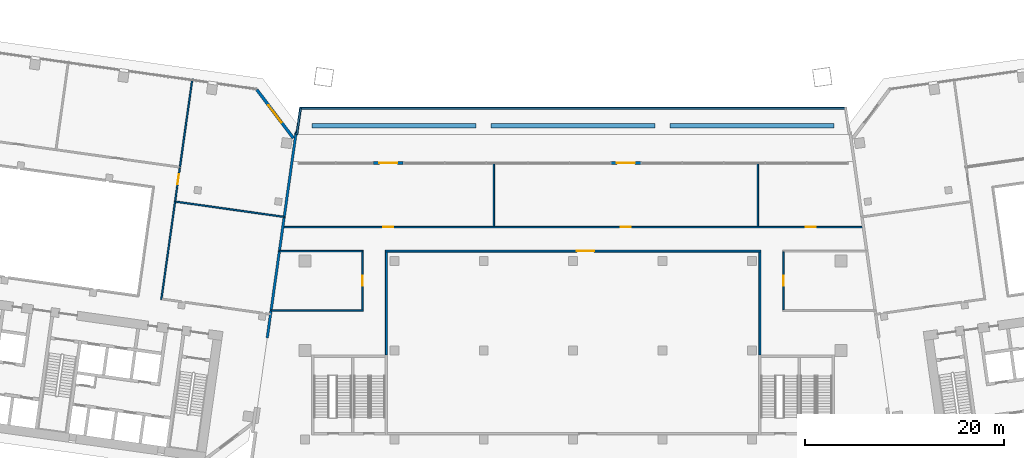
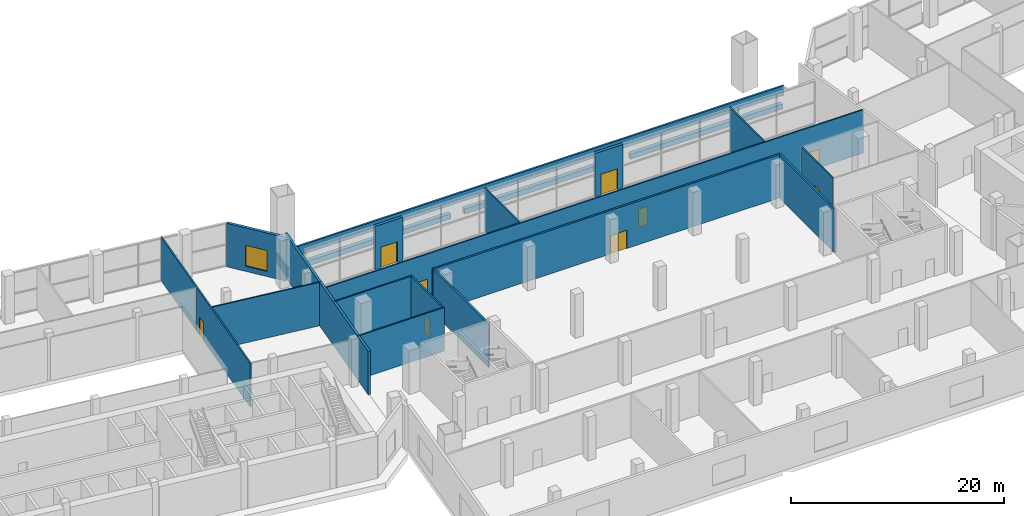
# One storey, part 14 of 23: 22 walls, 9 doors, 1 window, 10 openings.
"""IFC4 building model written with IfcOpenShell, lengths in metres."""

import ifcopenshell
import ifcopenshell.guid

model = None  # the IFC model being written
_history = None  # IfcOwnerHistory: only IFC2X3 demands one
_inside = {}  # id of a spatial element -> (the spatial element, [elements in it])
_under = {}  # id of a project, library or spatial element -> (it, [spatial elements below it])
_declared = {}  # id of a project -> (the project, [libraries it declares])
_typed = {}  # id of a type object -> (the type object, [elements of that type])
_made_of = {}  # id of a material, layer set ... -> (it, [elements and type objects made of it])


def new_model(schema):
    """Start an empty IFC model of exactly this schema.

    Asked for "IFC4X3", IfcOpenShell would pick the latest addendum, in which some entities
    have other attributes; the version numbers below select the first issue.
    IFC2X3 requires an IfcOwnerHistory on every rooted entity: one is made here for all.
    """
    global model, _history
    if schema == "IFC4X3":
        model = ifcopenshell.file(schema_version=(4, 3, 0, 0))
    else:
        model = ifcopenshell.file(schema=schema)
    _inside.clear()
    _under.clear()
    _declared.clear()
    _typed.clear()
    _made_of.clear()
    _history = None
    if model.schema == "IFC2X3":
        org = make("IfcOrganization", Name="unknown")
        user = make(
            "IfcPersonAndOrganization",
            ThePerson=make("IfcPerson", FamilyName="unknown"),
            TheOrganization=org,
        )
        app = make(
            "IfcApplication",
            ApplicationDeveloper=org,
            Version="unknown",
            ApplicationFullName="unknown",
            ApplicationIdentifier="unknown",
        )
        _history = make(
            "IfcOwnerHistory",
            OwningUser=user,
            OwningApplication=app,
            ChangeAction="ADDED",
            CreationDate=0,
        )
    return model


def make(cls, **values):
    """One entity of the class cls with the attributes given. An attribute that is None is left unset."""
    return model.create_entity(
        cls, **{name: value for name, value in values.items() if value is not None}
    )


def rooted(cls, **values):
    """An entity with a GlobalId (a new one), such as an element, a storey or a relation."""
    return make(cls, GlobalId=ifcopenshell.guid.new(), OwnerHistory=_history, **values)


def si_unit(unit_type, name, prefix=None):
    """IfcSIUnit, for example si_unit("LENGTHUNIT", "METRE", prefix="MILLI")."""
    return make("IfcSIUnit", UnitType=unit_type, Prefix=prefix, Name=name)


def assignment(units):
    """IfcUnitAssignment: the units of a project."""
    return None if units is None else make("IfcUnitAssignment", Units=units)


def point(xyz):
    """IfcCartesianPoint."""
    return None if xyz is None else make("IfcCartesianPoint", Coordinates=xyz)


def direction(xyz):
    """IfcDirection."""
    return None if xyz is None else make("IfcDirection", DirectionRatios=xyz)


def frame(location, z_axis=None, x_axis=None):
    """IfcAxis2Placement3D, a coordinate frame: its origin and axes. An axis left out is left unset."""
    return make(
        "IfcAxis2Placement3D",
        Location=point(location),
        Axis=direction(z_axis),
        RefDirection=direction(x_axis),
    )


def frame_2d(location, x_axis=None):
    """IfcAxis2Placement2D, a coordinate frame in the plane: its origin and x axis."""
    return make(
        "IfcAxis2Placement2D", Location=point(location), RefDirection=direction(x_axis)
    )


def origin():
    """The frame at (0, 0, 0) with its axes left unset."""
    return frame((0.0, 0.0, 0.0))


def place(relative_to, where):
    """IfcLocalPlacement: puts the frame where relative to a parent placement (None: the world)."""
    return make(
        "IfcLocalPlacement", PlacementRelTo=relative_to, RelativePlacement=where
    )


def context(
    kind, dimensions, precision=None, world=None, true_north=None, identifier=None
):
    """IfcGeometricRepresentationContext, for example the 3D "Model" context."""
    return make(
        "IfcGeometricRepresentationContext",
        ContextIdentifier=identifier,
        ContextType=kind,
        CoordinateSpaceDimension=dimensions,
        Precision=precision,
        WorldCoordinateSystem=world,
        TrueNorth=true_north,
    )


def subcontext(parent, identifier, kind, view, scale=None):
    """IfcGeometricRepresentationSubContext, for example "Body" below "Model"."""
    return make(
        "IfcGeometricRepresentationSubContext",
        ContextIdentifier=identifier,
        ContextType=kind,
        ParentContext=parent,
        TargetScale=scale,
        TargetView=view,
    )


def project(units=None, contexts=None):
    """IfcProject with its units and contexts."""
    return rooted(
        "IfcProject",
        Name="project",
        RepresentationContexts=contexts,
        UnitsInContext=assignment(units),
    )


def spatial(cls, under=None, at=None, **own):
    """A site, building, storey or space (cls), placed at a placement, below another one or the project."""
    s = rooted(cls, ObjectPlacement=at, **own)
    if under is not None:
        _under.setdefault(under.id(), (under, []))[1].append(s)
    return s


def profile(cls, at=None, kind="AREA", **sizes):
    """A parametric profile (cls). Its sizes go by their IFC names, for example OverallWidth=200.0."""
    return make(cls, ProfileType=kind, Position=at, **sizes)


def rectangle(**sizes):
    """IfcRectangleProfileDef."""
    return profile("IfcRectangleProfileDef", **sizes)


def extrude(swept, where, along, depth):
    """IfcExtrudedAreaSolid: the profile swept, set in the frame where, extruded along a direction by depth."""
    return make(
        "IfcExtrudedAreaSolid",
        SweptArea=swept,
        Position=where,
        ExtrudedDirection=direction(along),
        Depth=depth,
    )


def shape(context_of_items, identifier, shape_type, items):
    """IfcShapeRepresentation: the items that make up one representation, for example the "Body"."""
    return make(
        "IfcShapeRepresentation",
        ContextOfItems=context_of_items,
        RepresentationIdentifier=identifier,
        RepresentationType=shape_type,
        Items=items,
    )


def material(Name=None, Category=None):
    """IfcMaterial."""
    return make("IfcMaterial", Name=Name, Category=Category)


def layer(
    of_material, thickness, ventilated=None, Name=None, Category=None, Priority=None
):
    """IfcMaterialLayer: one layer of a wall or slab, of a material (None: an air gap)."""
    return make(
        "IfcMaterialLayer",
        Material=of_material,
        LayerThickness=thickness,
        IsVentilated=ventilated,
        Name=Name,
        Category=Category,
        Priority=Priority,
    )


def layer_set(layers, Name=None):
    """IfcMaterialLayerSet."""
    return make("IfcMaterialLayerSet", MaterialLayers=layers, LayerSetName=Name)


def made_of(thing, what):
    """Note that an element or type object is made of a material, layer set ...; save() writes the relation."""
    if what is not None:
        _made_of.setdefault(what.id(), (what, []))[1].append(thing)
    return thing


def type_object(cls, material=None, **own):
    """A type object (cls), such as IfcWallType, which elements share."""
    return made_of(rooted(cls, **own), material)


def element(
    cls,
    number,
    at=None,
    inside=None,
    cuts=None,
    type_object=None,
    material=None,
    context=None,
    identifier="Body",
    shape_type=None,
    held_by="IfcProductDefinitionShape",
    body=None,
    shapes=None,
    **own,
):
    """One element of the class cls, such as IfcWall. Its Tag is "e" and its number.

    at: its placement. inside: the storey or other place that contains it. cuts: it is an
    opening in that element (IfcRelVoidsElement). A single representation is given by context,
    identifier, shape_type and body (its items); several are given by shapes. held_by: the class
    of the entity that holds the representations. save() writes the other relations.
    """
    e = rooted(cls, Tag="e%d" % number, ObjectPlacement=at, **own)
    if body is not None:
        shapes = [shape(context, identifier, shape_type, body)]
    if shapes is not None:
        e.Representation = make(held_by, Representations=shapes)
    if inside is not None:
        _inside.setdefault(inside.id(), (inside, []))[1].append(e)
    if cuts is not None:
        rooted(
            "IfcRelVoidsElement", RelatingBuildingElement=cuts, RelatedOpeningElement=e
        )
    if type_object is not None:
        _typed.setdefault(type_object.id(), (type_object, []))[1].append(e)
    return made_of(e, material)


def fill(opening, filler):
    """IfcRelFillsElement: the door or window that sits in an opening."""
    return rooted(
        "IfcRelFillsElement",
        RelatingOpeningElement=opening,
        RelatedBuildingElement=filler,
    )


def aggregate(whole, parts):
    """IfcRelAggregates: a whole, such as a stair, and the parts it consists of."""
    return rooted("IfcRelAggregates", RelatingObject=whole, RelatedObjects=parts)


def save(model, path):
    """Write the relations noted so far, then the file.

    IfcRelAggregates (storeys below a building ...), IfcRelContainedInSpatialStructure (elements
    in a storey), IfcRelDefinesByType, IfcRelAssociatesMaterial and IfcRelDeclares: one each for
    every whole, place, type object, material and project.
    """
    for whole, parts in _under.values():
        aggregate(whole, parts)
    for where, things in _inside.values():
        rooted(
            "IfcRelContainedInSpatialStructure",
            RelatedElements=things,
            RelatingStructure=where,
        )
    for kind, things in _typed.values():
        rooted("IfcRelDefinesByType", RelatedObjects=things, RelatingType=kind)
    for what, things in _made_of.values():
        rooted("IfcRelAssociatesMaterial", RelatedObjects=things, RelatingMaterial=what)
    for by, libraries in _declared.values():
        rooted("IfcRelDeclares", RelatingContext=by, RelatedDefinitions=libraries)
    model.write(path)


model = new_model("IFC4")

# Units and contexts
model_context = context("Model", 3, precision=1e-05, world=origin(), true_north=direction((0.0, 1.0)))
body_context = subcontext(model_context, "Body", "Model", "MODEL_VIEW")
ifc_project = project(units=[si_unit("LENGTHUNIT", "METRE"), si_unit("AREAUNIT", "SQUARE_METRE"), si_unit("VOLUMEUNIT", "CUBIC_METRE"), si_unit("PLANEANGLEUNIT", "RADIAN"), si_unit("MASSUNIT", "GRAM", prefix="KILO")], contexts=[model_context])

# Site, building, storey
site_placement = place(None, origin())
site = spatial("IfcSite", under=ifc_project, at=site_placement, CompositionType="ELEMENT")
building_placement = place(site_placement, origin())
building = spatial("IfcBuilding", under=site, at=building_placement, Name="Mirante Cascada Hotel Towers", CompositionType="ELEMENT")
storey_placement = place(building_placement, frame((0.0, 0.0, 29.0)))
storey = spatial("IfcBuildingStorey", under=building, at=storey_placement, Name="L04", CompositionType="ELEMENT", Elevation=29.0)

# Walls
ifc_material_1 = material(Name="Masonry block", Category="masonry")
ifc_layer_1 = layer(ifc_material_1, 0.15)
ifc_layer_set_1 = layer_set([ifc_layer_1], Name="Corridor wall 150 block")
wall_type_1 = type_object("IfcWallType", Name="Corridor wall 150 block", PredefinedType="PARTITIONING", material=ifc_layer_set_1)
wall_1_placement = place(storey_placement, frame((-30.4216, -5.0, 0.0), z_axis=(0.0, 0.0, 1.0), x_axis=(1.0, 0.0, 0.0)))
element("IfcWall", 1, at=wall_1_placement, inside=storey, type_object=wall_type_1, Name="Corridor wall P L04", PredefinedType="PARTITIONING", context=body_context, shape_type="SweptSolid", body=[
    extrude(rectangle(XDim=9.2966, YDim=0.15, at=frame_2d((4.6483, 0.0))), origin(), (0.0, 0.0, 1.0), 5.0),
])
wall_2_placement = place(storey_placement, frame((-29.5784, 1.0, 0.0), z_axis=(0.0, 0.0, 1.0), x_axis=(1.0, 0.0, 0.0)))
element("IfcWall", 2, at=wall_2_placement, inside=storey, type_object=wall_type_1, Name="Corridor wall P L04", PredefinedType="PARTITIONING", context=body_context, shape_type="SweptSolid", body=[
    extrude(rectangle(XDim=8.4634, YDim=0.15, at=frame_2d((4.2317, 0.0))), origin(), (0.0, 0.0, 1.0), 5.0),
])

# Wall, openings, doors
wall_3_placement = place(storey_placement, frame((-29.2411, 3.4, 0.0), z_axis=(0.0, 0.0, 1.0), x_axis=(1.0, 0.0, 0.0)))
wall_3 = element("IfcWall", 3, at=wall_3_placement, inside=storey, type_object=wall_type_1, Name="Corridor wall P L04", PredefinedType="PARTITIONING", context=body_context, shape_type="SweptSolid", body=[
    extrude(rectangle(XDim=58.4822, YDim=0.15, at=frame_2d((29.2411, 0.0))), origin(), (0.0, 0.0, 1.0), 5.0),
])
opening_1_placement = place(wall_3_placement, frame((10.1331, 0.0, 0.0)))
opening_1 = element("IfcOpeningElement", 4, at=opening_1_placement, cuts=wall_3, Name="Opening DP-L04-14", PredefinedType="OPENING", context=body_context, shape_type="SweptSolid", body=[
    extrude(rectangle(XDim=1.0, YDim=2.1, at=frame_2d((0.5, 1.05))), frame((0.0, 0.075, 0.0), z_axis=(0.0, -1.0, 0.0), x_axis=(1.0, 0.0, 0.0)), (0.0, 0.0, 1.0), 0.15),
])
opening_2_placement = place(wall_3_placement, frame((34.0576, 0.0, 0.0)))
opening_2 = element("IfcOpeningElement", 5, at=opening_2_placement, cuts=wall_3, Name="Opening DP-L04-15", PredefinedType="OPENING", context=body_context, shape_type="SweptSolid", body=[
    extrude(rectangle(XDim=1.0, YDim=2.1, at=frame_2d((0.5, 1.05))), frame((0.0, 0.075, 0.0), z_axis=(0.0, -1.0, 0.0), x_axis=(1.0, 0.0, 0.0)), (0.0, 0.0, 1.0), 0.15),
])
opening_3_placement = place(wall_3_placement, frame((52.6656, 0.0, 0.0)))
opening_3 = element("IfcOpeningElement", 6, at=opening_3_placement, cuts=wall_3, Name="Opening DP-L04-16", PredefinedType="OPENING", context=body_context, shape_type="SweptSolid", body=[
    extrude(rectangle(XDim=1.0, YDim=2.1, at=frame_2d((0.5, 1.05))), frame((0.0, 0.075, 0.0), z_axis=(0.0, -1.0, 0.0), x_axis=(1.0, 0.0, 0.0)), (0.0, 0.0, 1.0), 0.15),
])
ifc_material_2 = material(Name="Timber door leaf", Category="wood")
door_type_1 = type_object("IfcDoorType", Name="Single door 1000x2100", OperationType="NOTDEFINED", PredefinedType="DOOR", material=ifc_material_2)
door_1_placement = place(opening_1_placement, origin())
door_1 = element("IfcDoor", 7, at=door_1_placement, inside=storey, type_object=door_type_1, Name="Door DP-L04-14", OperationType="SINGLE_SWING_RIGHT", OverallHeight=2.1, OverallWidth=1.0, PredefinedType="DOOR", context=body_context, shape_type="SweptSolid", body=[
    extrude(rectangle(XDim=1.0, YDim=2.1, at=frame_2d((0.5, 1.05))), frame((0.0, 0.025, 0.0), z_axis=(0.0, -1.0, 0.0), x_axis=(1.0, 0.0, 0.0)), (0.0, 0.0, 1.0), 0.05),
])
fill(opening_1, door_1)
door_2_placement = place(opening_2_placement, frame((1.0, 0.0, 0.0), z_axis=(0.0, 0.0, 1.0), x_axis=(-1.0, 0.0, 0.0)))
door_2 = element("IfcDoor", 8, at=door_2_placement, inside=storey, type_object=door_type_1, Name="Door DP-L04-15", OperationType="SINGLE_SWING_LEFT", OverallHeight=2.1, OverallWidth=1.0, PredefinedType="DOOR", context=body_context, shape_type="SweptSolid", body=[
    extrude(rectangle(XDim=1.0, YDim=2.1, at=frame_2d((0.5, 1.05))), frame((0.0, 0.025, 0.0), z_axis=(0.0, -1.0, 0.0), x_axis=(1.0, 0.0, 0.0)), (0.0, 0.0, 1.0), 0.05),
])
fill(opening_2, door_2)
door_3_placement = place(opening_3_placement, origin())
door_3 = element("IfcDoor", 9, at=door_3_placement, inside=storey, type_object=door_type_1, Name="Door DP-L04-16", OperationType="SINGLE_SWING_RIGHT", OverallHeight=2.1, OverallWidth=1.0, PredefinedType="DOOR", context=body_context, shape_type="SweptSolid", body=[
    extrude(rectangle(XDim=1.0, YDim=2.1, at=frame_2d((0.5, 1.05))), frame((0.0, 0.025, 0.0), z_axis=(0.0, -1.0, 0.0), x_axis=(1.0, 0.0, 0.0)), (0.0, 0.0, 1.0), 0.05),
])
fill(opening_3, door_3)

# Wall, opening, door
wall_4_placement = place(storey_placement, frame((21.2, -4.935, 0.0), z_axis=(0.0, 0.0, 1.0), x_axis=(0.0, 1.0, 0.0)))
wall_4 = element("IfcWall", 10, at=wall_4_placement, inside=storey, type_object=wall_type_1, Name="Corridor wall P L04", PredefinedType="PARTITIONING", context=body_context, shape_type="SweptSolid", body=[
    extrude(rectangle(XDim=5.86, YDim=0.15, at=frame_2d((2.93, 0.0))), origin(), (0.0, 0.0, 1.0), 5.0),
])
opening_4_placement = place(wall_4_placement, frame((2.43, 0.0, 0.0)))
opening_4 = element("IfcOpeningElement", 11, at=opening_4_placement, cuts=wall_4, Name="Opening DP-L04-08", PredefinedType="OPENING", context=body_context, shape_type="SweptSolid", body=[
    extrude(rectangle(XDim=1.0, YDim=2.1, at=frame_2d((0.5, 1.05))), frame((0.0, 0.075, 0.0), z_axis=(0.0, -1.0, 0.0), x_axis=(1.0, 0.0, 0.0)), (0.0, 0.0, 1.0), 0.15),
])
door_4_placement = place(opening_4_placement, frame((1.0, 0.0, 0.0), z_axis=(0.0, 0.0, 1.0), x_axis=(-1.0, 0.0, 0.0)))
door_4 = element("IfcDoor", 12, at=door_4_placement, inside=storey, type_object=door_type_1, Name="Door DP-L04-08", OperationType="SINGLE_SWING_RIGHT", OverallHeight=2.1, OverallWidth=1.0, PredefinedType="DOOR", context=body_context, shape_type="SweptSolid", body=[
    extrude(rectangle(XDim=1.0, YDim=2.1, at=frame_2d((0.5, 1.05))), frame((0.0, 0.025, 0.0), z_axis=(0.0, -1.0, 0.0), x_axis=(1.0, 0.0, 0.0)), (0.0, 0.0, 1.0), 0.05),
])
fill(opening_4, door_4)

wall_5_placement = place(storey_placement, frame((-21.2, -4.935, 0.0), z_axis=(0.0, 0.0, 1.0), x_axis=(0.0, 1.0, 0.0)))
wall_5 = element("IfcWall", 13, at=wall_5_placement, inside=storey, type_object=wall_type_1, Name="Corridor wall P L04", PredefinedType="PARTITIONING", context=body_context, shape_type="SweptSolid", body=[
    extrude(rectangle(XDim=5.86, YDim=0.15, at=frame_2d((2.93, 0.0))), origin(), (0.0, 0.0, 1.0), 5.0),
])
opening_5_placement = place(wall_5_placement, frame((2.43, 0.0, 0.0)))
opening_5 = element("IfcOpeningElement", 14, at=opening_5_placement, cuts=wall_5, Name="Opening DP-L04-07", PredefinedType="OPENING", context=body_context, shape_type="SweptSolid", body=[
    extrude(rectangle(XDim=1.0, YDim=2.1, at=frame_2d((0.5, 1.05))), frame((0.0, 0.075, 0.0), z_axis=(0.0, -1.0, 0.0), x_axis=(1.0, 0.0, 0.0)), (0.0, 0.0, 1.0), 0.15),
])
door_5_placement = place(opening_5_placement, frame((1.0, 0.0, 0.0), z_axis=(0.0, 0.0, 1.0), x_axis=(-1.0, 0.0, 0.0)))
door_5 = element("IfcDoor", 15, at=door_5_placement, inside=storey, type_object=door_type_1, Name="Door DP-L04-07", OperationType="SINGLE_SWING_LEFT", OverallHeight=2.1, OverallWidth=1.0, PredefinedType="DOOR", context=body_context, shape_type="SweptSolid", body=[
    extrude(rectangle(XDim=1.0, YDim=2.1, at=frame_2d((0.5, 1.05))), frame((0.0, 0.025, 0.0), z_axis=(0.0, -1.0, 0.0), x_axis=(1.0, 0.0, 0.0)), (0.0, 0.0, 1.0), 0.05),
])
fill(opening_5, door_5)

wall_6_placement = place(storey_placement, frame((-41.4756, -3.8964, 0.0), z_axis=(0.0, 0.0, 1.0), x_axis=(0.1391716, 0.9902683, 0.0)))
wall_6 = element("IfcWall", 16, at=wall_6_placement, inside=storey, type_object=wall_type_1, Name="Corridor wall T1 L04", PredefinedType="PARTITIONING", context=body_context, shape_type="SweptSolid", body=[
    extrude(rectangle(XDim=13.4, YDim=0.15, at=frame_2d((6.7, 0.0))), origin(), (0.0, 0.0, 1.0), 5.0),
])
opening_6_placement = place(wall_6_placement, frame((11.7325, 0.0, 0.0)))
opening_6 = element("IfcOpeningElement", 17, at=opening_6_placement, cuts=wall_6, Name="Opening DP1-L04-02", PredefinedType="OPENING", context=body_context, shape_type="SweptSolid", body=[
    extrude(rectangle(XDim=1.0, YDim=2.1, at=frame_2d((0.5, 1.05))), frame((0.0, 0.075, 0.0), z_axis=(0.0, -1.0, 0.0), x_axis=(1.0, 0.0, 0.0)), (0.0, 0.0, 1.0), 0.15),
])
door_6_placement = place(opening_6_placement, frame((1.0, 0.0, 0.0), z_axis=(0.0, 0.0, 1.0), x_axis=(-1.0, 0.0, 0.0)))
door_6 = element("IfcDoor", 18, at=door_6_placement, inside=storey, type_object=door_type_1, Name="Door DP1-L04-02", OperationType="SINGLE_SWING_RIGHT", OverallHeight=2.1, OverallWidth=1.0, PredefinedType="DOOR", context=body_context, shape_type="SweptSolid", body=[
    extrude(rectangle(XDim=1.0, YDim=2.1, at=frame_2d((0.5, 1.05))), frame((0.0, 0.025, 0.0), z_axis=(0.0, -1.0, 0.0), x_axis=(1.0, 0.0, 0.0)), (0.0, 0.0, 1.0), 0.05),
])
fill(opening_6, door_6)

ifc_material_3 = material(Name="Masonry block", Category="masonry")
ifc_layer_2 = layer(ifc_material_3, 0.2)
ifc_layer_set_2 = layer_set([ifc_layer_2], Name="Hall wall 200 block")
wall_type_2 = type_object("IfcWallType", Name="Hall wall 200 block", PredefinedType="PARTITIONING", material=ifc_layer_set_2)
wall_7_placement = place(storey_placement, frame((-18.91, 1.0, 0.0), z_axis=(0.0, 0.0, 1.0), x_axis=(1.0, 0.0, 0.0)))
wall_7 = element("IfcWall", 19, at=wall_7_placement, inside=storey, type_object=wall_type_2, Name="Hall wall P L04", PredefinedType="PARTITIONING", context=body_context, shape_type="SweptSolid", body=[
    extrude(rectangle(XDim=37.82, YDim=0.2, at=frame_2d((18.91, 0.0))), origin(), (0.0, 0.0, 1.0), 5.0),
])
opening_7_placement = place(wall_7_placement, frame((19.26, 0.0, 0.0)))
opening_7 = element("IfcOpeningElement", 20, at=opening_7_placement, cuts=wall_7, Name="Opening DP-L04-06", PredefinedType="OPENING", context=body_context, shape_type="SweptSolid", body=[
    extrude(rectangle(XDim=1.8, YDim=2.1, at=frame_2d((0.9, 1.05))), frame((0.0, 0.1, 0.0), z_axis=(0.0, -1.0, 0.0), x_axis=(1.0, 0.0, 0.0)), (0.0, 0.0, 1.0), 0.2),
])
ifc_material_4 = material(Name="Timber door leaf", Category="wood")
door_type_2 = type_object("IfcDoorType", Name="Double door 1800x2100", OperationType="DOUBLE_DOOR_SINGLE_SWING", PredefinedType="DOOR", material=ifc_material_4)
door_7_placement = place(opening_7_placement, origin())
door_7 = element("IfcDoor", 21, at=door_7_placement, inside=storey, type_object=door_type_2, Name="Door DP-L04-06", OperationType="DOUBLE_DOOR_SINGLE_SWING", OverallHeight=2.1, OverallWidth=1.8, PredefinedType="DOOR", context=body_context, shape_type="SweptSolid", body=[
    extrude(rectangle(XDim=0.895, YDim=2.1, at=frame_2d((0.4475, 1.05))), frame((0.0, 0.025, 0.0), z_axis=(0.0, -1.0, 0.0), x_axis=(1.0, 0.0, 0.0)), (0.0, 0.0, 1.0), 0.05),
    extrude(rectangle(XDim=0.895, YDim=2.1, at=frame_2d((1.3525, 1.05))), frame((0.0, 0.025, 0.0), z_axis=(0.0, -1.0, 0.0), x_axis=(1.0, 0.0, 0.0)), (0.0, 0.0, 1.0), 0.05),
])
fill(opening_7, door_7)

# Walls
for number, where, z_axis, x_axis, name in (
    (22, (18.8, -9.475, 0.0), (0.0, 0.0, 1.0), (0.0, 1.0, 0.0), "Hall wall P L04"),
    (23, (-18.8, -9.475, 0.0), (0.0, 0.0, 1.0), (0.0, 1.0, 0.0), "Hall wall P L04"),
):
    element("IfcWall", number, at=place(storey_placement, frame(where, z_axis=z_axis, x_axis=x_axis)), inside=storey, type_object=wall_type_2, Name=name, PredefinedType="PARTITIONING", context=body_context, shape_type="SweptSolid", body=[
        extrude(rectangle(XDim=10.375, YDim=0.2, at=frame_2d((5.1875, 0.0))), origin(), (0.0, 0.0, 1.0), 5.0),
    ])
ifc_material_5 = material(Name="Masonry block", Category="masonry")
ifc_layer_3 = layer(ifc_material_5, 0.15)
ifc_layer_set_3 = layer_set([ifc_layer_3], Name="Partition 150 block")
wall_type_3 = type_object("IfcWallType", Name="Partition 150 block", PredefinedType="PARTITIONING", material=ifc_layer_set_3)
for number, where, z_axis, x_axis, name in (
    (24, (18.608, 3.475, 0.0), (0.0, 0.0, 1.0), (0.0, 1.0, 0.0), "Partition P L04"),
    (25, (-7.9748, 3.475, 0.0), (0.0, 0.0, 1.0), (0.0, 1.0, 0.0), "Partition P L04"),
):
    element("IfcWall", number, at=place(storey_placement, frame(where, z_axis=z_axis, x_axis=x_axis)), inside=storey, type_object=wall_type_3, Name=name, PredefinedType="PARTITIONING", context=body_context, shape_type="SweptSolid", body=[
        extrude(rectangle(XDim=6.525, YDim=0.15, at=frame_2d((3.2625, 0.0))), origin(), (0.0, 0.0, 1.0), 5.0),
    ])
wall_8_placement = place(storey_placement, frame((-40.0131, 5.9711, 0.0), z_axis=(0.0, 0.0, 1.0), x_axis=(0.9902679, -0.1391746, 0.0)))
element("IfcWall", 26, at=wall_8_placement, inside=storey, type_object=wall_type_3, Name="Partition T1 L04", PredefinedType="PARTITIONING", context=body_context, shape_type="SweptSolid", body=[
    extrude(rectangle(XDim=11.025, YDim=0.15, at=frame_2d((5.5125, 0.0))), origin(), (0.0, 0.0, 1.0), 5.0),
])
wall_9_placement = place(storey_placement, frame((-39.5912, 9.5119, 0.0), z_axis=(0.0, 0.0, 1.0), x_axis=(0.1391725, 0.9902682, 0.0)))
element("IfcWall", 27, at=wall_9_placement, inside=storey, type_object=wall_type_3, Name="Partition T1 L04", PredefinedType="PARTITIONING", context=body_context, shape_type="SweptSolid", body=[
    extrude(rectangle(XDim=8.935, YDim=0.15, at=frame_2d((4.4675, 0.0))), origin(), (0.0, 0.0, 1.0), 5.0),
])
ifc_material_6 = material(Name="Masonry block", Category="masonry")
ifc_layer_4 = layer(ifc_material_6, 0.25)
ifc_layer_set_4 = layer_set([ifc_layer_4], Name="Plant room wall 250 block EI 120")
wall_type_4 = type_object("IfcWallType", Name="Plant room wall 250 block EI 120", PredefinedType="PARTITIONING", material=ifc_layer_set_4)
wall_10_placement = place(storey_placement, frame((-30.8072, -7.7436, 0.0), z_axis=(0.0, 0.0, 1.0), x_axis=(0.1391737, 0.990268, 0.0)))
element("IfcWall", 28, at=wall_10_placement, inside=storey, type_object=wall_type_4, Name="Compartment wall T1 L04", PredefinedType="PARTITIONING", context=body_context, shape_type="SweptSolid", body=[
    extrude(rectangle(XDim=20.9501, YDim=0.25, at=frame_2d((10.475, 0.0))), origin(), (0.0, 0.0, 1.0), 5.0),
])
ifc_material_7 = material(Name="Precast concrete C40/50", Category="concrete")
ifc_layer_5 = layer(ifc_material_7, 0.45)
ifc_layer_set_5 = layer_set([ifc_layer_5], Name="Planter wall 450 concrete C40/50")
wall_type_5 = type_object("IfcWallType", Name="Planter wall 450 concrete C40/50", PredefinedType="PARAPET", material=ifc_layer_set_5)
wall_11_placement = place(storey_placement, frame((-26.2928, 13.6, 0.0), z_axis=(0.0, 0.0, 1.0), x_axis=(1.0, 0.0, 0.0)))
element("IfcWall", 29, at=wall_11_placement, inside=storey, type_object=wall_type_5, Name="PLANTER podium L03 bed 1.1", PredefinedType="PARAPET", context=body_context, shape_type="SweptSolid", body=[
    extrude(rectangle(XDim=16.5285, YDim=0.45, at=frame_2d((8.2642, 0.0))), origin(), (0.0, 0.0, 1.0), 0.6),
])
wall_12_placement = place(storey_placement, frame((-8.2643, 13.6, 0.0), z_axis=(0.0, 0.0, 1.0), x_axis=(1.0, 0.0, 0.0)))
element("IfcWall", 30, at=wall_12_placement, inside=storey, type_object=wall_type_5, Name="PLANTER podium L03 bed 1.2", PredefinedType="PARAPET", context=body_context, shape_type="SweptSolid", body=[
    extrude(rectangle(XDim=16.5286, YDim=0.45, at=frame_2d((8.2643, 0.0))), origin(), (0.0, 0.0, 1.0), 0.6),
])
wall_13_placement = place(storey_placement, frame((9.7643, 13.6, 0.0), z_axis=(0.0, 0.0, 1.0), x_axis=(1.0, 0.0, 0.0)))
element("IfcWall", 31, at=wall_13_placement, inside=storey, type_object=wall_type_5, Name="PLANTER podium L03 bed 1.3", PredefinedType="PARAPET", context=body_context, shape_type="SweptSolid", body=[
    extrude(rectangle(XDim=16.5285, YDim=0.45, at=frame_2d((8.2642, 0.0))), origin(), (0.0, 0.0, 1.0), 0.6),
])

# Wall, opening, window
ifc_material_8 = material(Name="Precast concrete C40/50", Category="concrete")
ifc_layer_6 = layer(ifc_material_8, 0.3)
ifc_layer_set_6 = layer_set([ifc_layer_6], Name="Precast concrete C40/50 cladding wall 300")
wall_type_6 = type_object("IfcWallType", Name="Precast concrete C40/50 cladding wall 300", PredefinedType="STANDARD", material=ifc_layer_set_6)
wall_14_placement = place(storey_placement, frame((-31.857, 17.252, 0.0), z_axis=(0.0, 0.0, 1.0), x_axis=(0.6018141, -0.7986362, 0.0)))
wall_14 = element("IfcWall", 32, at=wall_14_placement, inside=storey, type_object=wall_type_6, Name="Corner cladding wall T1 L04 front inner", PredefinedType="STANDARD", context=body_context, shape_type="SweptSolid", body=[
    extrude(rectangle(XDim=6.1157, YDim=0.3, at=frame_2d((3.0578, 0.0))), origin(), (0.0, 0.0, 1.0), 5.0),
])
opening_8_placement = place(wall_14_placement, frame((1.9578, 0.0, 0.6)))
opening_8 = element("IfcOpeningElement", 33, at=opening_8_placement, cuts=wall_14, Name="Opening W1-04-04", PredefinedType="OPENING", context=body_context, shape_type="SweptSolid", body=[
    extrude(rectangle(XDim=2.2, YDim=2.4, at=frame_2d((1.1, 1.2))), frame((0.0, 0.15, 0.0), z_axis=(0.0, -1.0, 0.0), x_axis=(1.0, 0.0, 0.0)), (0.0, 0.0, 1.0), 0.3),
])
ifc_material_9 = material(Name="Aluminium frame with clear double glazing", Category="aluminium")
window_type = type_object("IfcWindowType", Name="Corner suite window 2200x2400", PartitioningType="DOUBLE_PANEL_VERTICAL", PredefinedType="WINDOW", material=ifc_material_9)
window_placement = place(opening_8_placement, origin())
window = element("IfcWindow", 34, at=window_placement, inside=storey, type_object=window_type, Name="Window W1-04-04", OverallHeight=2.4, OverallWidth=2.2, PartitioningType="SINGLE_PANEL", PredefinedType="WINDOW", context=body_context, shape_type="SweptSolid", body=[
    extrude(rectangle(XDim=2.2, YDim=2.4, at=frame_2d((1.1, 1.2))), frame((0.0, 0.03, 0.0), z_axis=(0.0, -1.0, 0.0), x_axis=(1.0, 0.0, 0.0)), (0.0, 0.0, 1.0), 0.06),
])
fill(opening_8, window)

# Wall, opening, door
wall_15_placement = place(storey_placement, frame((6.817, 9.85, 0.0), z_axis=(0.0, 0.0, 1.0), x_axis=(-1.0, 0.0, 0.0)))
wall_15 = element("IfcWall", 35, at=wall_15_placement, inside=storey, type_object=wall_type_6, Name="Entrance pier wall L04 P:L04:3:2", PredefinedType="STANDARD", context=body_context, shape_type="SweptSolid", body=[
    extrude(rectangle(XDim=3.0, YDim=0.3, at=frame_2d((1.5, 0.0))), origin(), (0.0, 0.0, 1.0), 5.0),
])
opening_9_placement = place(wall_15_placement, frame((0.6, 0.0, 0.0)))
opening_9 = element("IfcOpeningElement", 36, at=opening_9_placement, cuts=wall_15, Name="Opening DP-04-91", PredefinedType="OPENING", context=body_context, shape_type="SweptSolid", body=[
    extrude(rectangle(XDim=1.8, YDim=2.4, at=frame_2d((0.9, 1.2))), frame((0.0, 0.15, 0.0), z_axis=(0.0, -1.0, 0.0), x_axis=(1.0, 0.0, 0.0)), (0.0, 0.0, 1.0), 0.3),
])
ifc_material_10 = material(Name="Aluminium frame with clear laminated glazing", Category="aluminium")
door_type_3 = type_object("IfcDoorType", Name="Terrace double door 1800x2400", OperationType="DOUBLE_DOOR_SINGLE_SWING", PredefinedType="DOOR", material=ifc_material_10)
door_8_placement = place(opening_9_placement, origin())
door_8 = element("IfcDoor", 37, at=door_8_placement, inside=storey, type_object=door_type_3, Name="Lounge door DP-04-91", OperationType="DOUBLE_DOOR_SINGLE_SWING", OverallHeight=2.4, OverallWidth=1.8, PredefinedType="DOOR", context=body_context, shape_type="SweptSolid", body=[
    extrude(rectangle(XDim=0.895, YDim=2.4, at=frame_2d((0.4475, 1.2))), frame((0.0, 0.025, 0.0), z_axis=(0.0, -1.0, 0.0), x_axis=(1.0, 0.0, 0.0)), (0.0, 0.0, 1.0), 0.05),
    extrude(rectangle(XDim=0.895, YDim=2.4, at=frame_2d((1.3525, 1.2))), frame((0.0, 0.025, 0.0), z_axis=(0.0, -1.0, 0.0), x_axis=(1.0, 0.0, 0.0)), (0.0, 0.0, 1.0), 0.05),
])
fill(opening_9, door_8)

wall_16_placement = place(storey_placement, frame((-17.108, 9.85, 0.0), z_axis=(0.0, 0.0, 1.0), x_axis=(-1.0, 0.0, 0.0)))
wall_16 = element("IfcWall", 38, at=wall_16_placement, inside=storey, type_object=wall_type_6, Name="Entrance pier wall L04 P:L04:3:4", PredefinedType="STANDARD", context=body_context, shape_type="SweptSolid", body=[
    extrude(rectangle(XDim=3.0, YDim=0.3, at=frame_2d((1.5, 0.0))), origin(), (0.0, 0.0, 1.0), 5.0),
])
opening_10_placement = place(wall_16_placement, frame((0.6, 0.0, 0.0)))
opening_10 = element("IfcOpeningElement", 39, at=opening_10_placement, cuts=wall_16, Name="Opening DP-04-92", PredefinedType="OPENING", context=body_context, shape_type="SweptSolid", body=[
    extrude(rectangle(XDim=1.8, YDim=2.4, at=frame_2d((0.9, 1.2))), frame((0.0, 0.15, 0.0), z_axis=(0.0, -1.0, 0.0), x_axis=(1.0, 0.0, 0.0)), (0.0, 0.0, 1.0), 0.3),
])
door_9_placement = place(opening_10_placement, origin())
door_9 = element("IfcDoor", 40, at=door_9_placement, inside=storey, type_object=door_type_3, Name="Bar door DP-04-92", OperationType="DOUBLE_DOOR_SINGLE_SWING", OverallHeight=2.4, OverallWidth=1.8, PredefinedType="DOOR", context=body_context, shape_type="SweptSolid", body=[
    extrude(rectangle(XDim=0.895, YDim=2.4, at=frame_2d((0.4475, 1.2))), frame((0.0, 0.025, 0.0), z_axis=(0.0, -1.0, 0.0), x_axis=(1.0, 0.0, 0.0)), (0.0, 0.0, 1.0), 0.05),
    extrude(rectangle(XDim=0.895, YDim=2.4, at=frame_2d((1.3525, 1.2))), frame((0.0, 0.025, 0.0), z_axis=(0.0, -1.0, 0.0), x_axis=(1.0, 0.0, 0.0)), (0.0, 0.0, 1.0), 0.05),
])
fill(opening_10, door_9)

# Walls
ifc_material_11 = material(Name="Precast concrete C40/50", Category="concrete")
ifc_layer_7 = layer(ifc_material_11, 0.2)
ifc_layer_set_7 = layer_set([ifc_layer_7], Name="Terrace parapet wall 200 concrete C40/50")
wall_type_7 = type_object("IfcWallType", Name="Terrace parapet wall 200 concrete C40/50", PredefinedType="PARAPET", material=ifc_layer_set_7)
wall_17_placement = place(storey_placement, frame((-27.4415, 15.4861, 0.0), z_axis=(0.0, 0.0, 1.0), x_axis=(-0.1391776, -0.9902674, 0.0)))
element("IfcWall", 41, at=wall_17_placement, inside=storey, type_object=wall_type_7, Name="Terrace parapet podium L03 1.1.1", PredefinedType="PARAPET", context=body_context, shape_type="SweptSolid", body=[
    extrude(rectangle(XDim=2.777, YDim=0.2, at=frame_2d((1.3885, 0.0))), origin(), (0.0, 0.0, 1.0), 1.1),
])
wall_18_placement = place(storey_placement, frame((27.5405, 15.4, 0.0), z_axis=(0.0, 0.0, 1.0), x_axis=(-1.0, 0.0, 0.0)))
element("IfcWall", 42, at=wall_18_placement, inside=storey, type_object=wall_type_7, Name="Terrace parapet podium L03 1.3.1", PredefinedType="PARAPET", context=body_context, shape_type="SweptSolid", body=[
    extrude(rectangle(XDim=55.081, YDim=0.2, at=frame_2d((27.5405, 0.0))), origin(), (0.0, 0.0, 1.0), 1.1),
])

save(model, "model.ifc")
